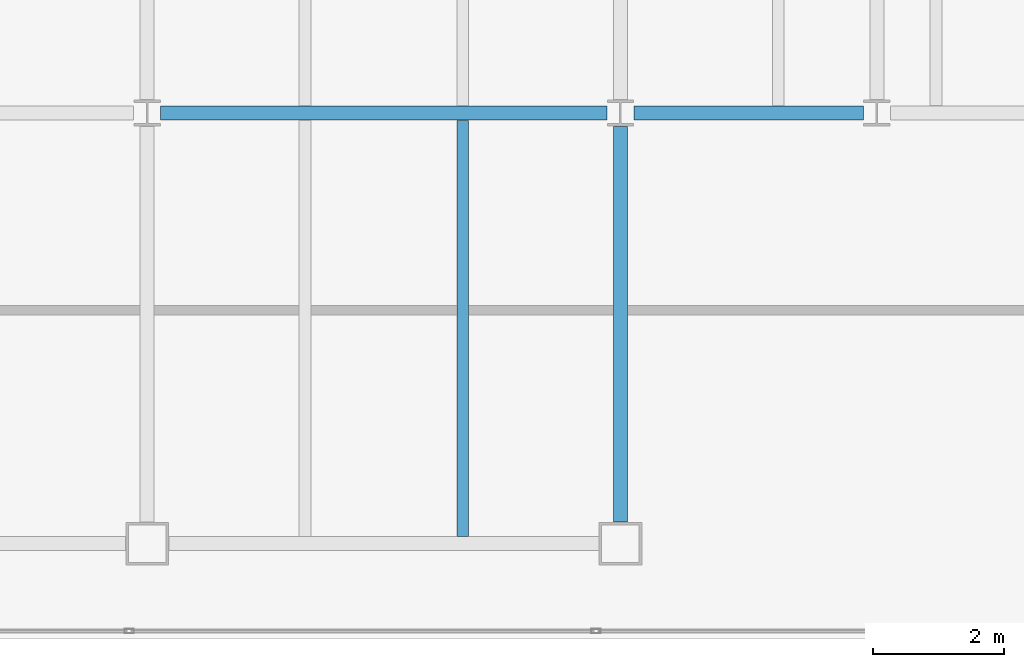
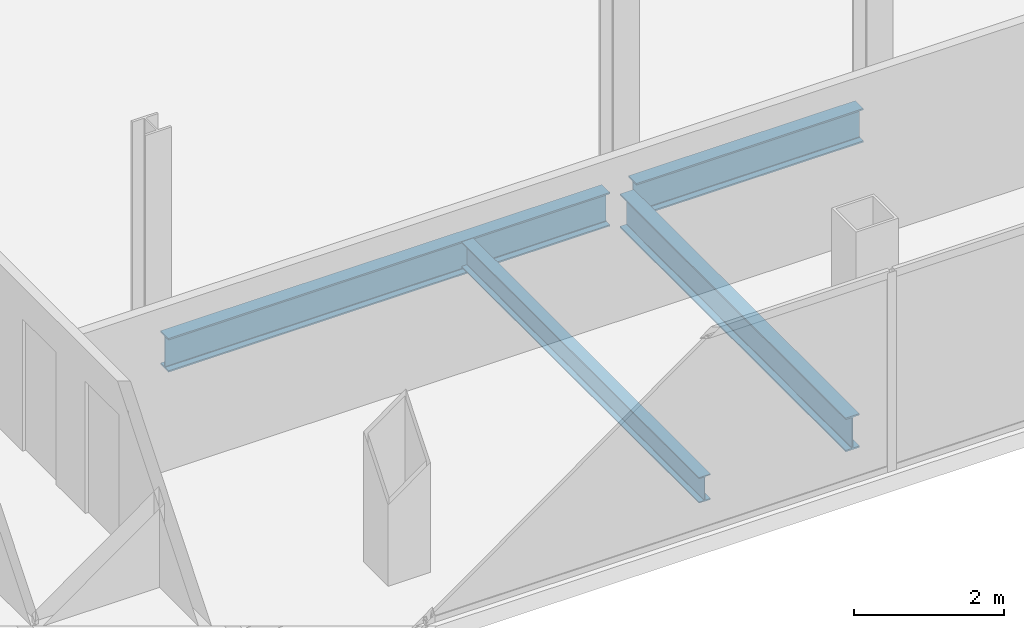
# One storey, part 13 of 24: 4 beams.
"""IFC4 building model written with IfcOpenShell, lengths in metres."""

import ifcopenshell
import ifcopenshell.guid

model = None  # the IFC model being written
_history = None  # IfcOwnerHistory: only IFC2X3 demands one
_inside = {}  # id of a spatial element -> (the spatial element, [elements in it])
_under = {}  # id of a project, library or spatial element -> (it, [spatial elements below it])
_declared = {}  # id of a project -> (the project, [libraries it declares])
_typed = {}  # id of a type object -> (the type object, [elements of that type])
_made_of = {}  # id of a material, layer set ... -> (it, [elements and type objects made of it])


def new_model(schema):
    """Start an empty IFC model of exactly this schema.

    Asked for "IFC4X3", IfcOpenShell would pick the latest addendum, in which some entities
    have other attributes; the version numbers below select the first issue.
    IFC2X3 requires an IfcOwnerHistory on every rooted entity: one is made here for all.
    """
    global model, _history
    if schema == "IFC4X3":
        model = ifcopenshell.file(schema_version=(4, 3, 0, 0))
    else:
        model = ifcopenshell.file(schema=schema)
    _inside.clear()
    _under.clear()
    _declared.clear()
    _typed.clear()
    _made_of.clear()
    _history = None
    if model.schema == "IFC2X3":
        org = make("IfcOrganization", Name="unknown")
        user = make(
            "IfcPersonAndOrganization",
            ThePerson=make("IfcPerson", FamilyName="unknown"),
            TheOrganization=org,
        )
        app = make(
            "IfcApplication",
            ApplicationDeveloper=org,
            Version="unknown",
            ApplicationFullName="unknown",
            ApplicationIdentifier="unknown",
        )
        _history = make(
            "IfcOwnerHistory",
            OwningUser=user,
            OwningApplication=app,
            ChangeAction="ADDED",
            CreationDate=0,
        )
    return model


def make(cls, **values):
    """One entity of the class cls with the attributes given. An attribute that is None is left unset."""
    return model.create_entity(
        cls, **{name: value for name, value in values.items() if value is not None}
    )


def rooted(cls, **values):
    """An entity with a GlobalId (a new one), such as an element, a storey or a relation."""
    return make(cls, GlobalId=ifcopenshell.guid.new(), OwnerHistory=_history, **values)


def si_unit(unit_type, name, prefix=None):
    """IfcSIUnit, for example si_unit("LENGTHUNIT", "METRE", prefix="MILLI")."""
    return make("IfcSIUnit", UnitType=unit_type, Prefix=prefix, Name=name)


def assignment(units):
    """IfcUnitAssignment: the units of a project."""
    return None if units is None else make("IfcUnitAssignment", Units=units)


def point(xyz):
    """IfcCartesianPoint."""
    return None if xyz is None else make("IfcCartesianPoint", Coordinates=xyz)


def direction(xyz):
    """IfcDirection."""
    return None if xyz is None else make("IfcDirection", DirectionRatios=xyz)


def frame(location, z_axis=None, x_axis=None):
    """IfcAxis2Placement3D, a coordinate frame: its origin and axes. An axis left out is left unset."""
    return make(
        "IfcAxis2Placement3D",
        Location=point(location),
        Axis=direction(z_axis),
        RefDirection=direction(x_axis),
    )


def frame_2d(location, x_axis=None):
    """IfcAxis2Placement2D, a coordinate frame in the plane: its origin and x axis."""
    return make(
        "IfcAxis2Placement2D", Location=point(location), RefDirection=direction(x_axis)
    )


def origin():
    """The frame at (0, 0, 0) with its axes left unset."""
    return frame((0.0, 0.0, 0.0))


def origin_2d():
    """The frame at (0, 0) in the plane with its x axis left unset."""
    return frame_2d((0.0, 0.0))


def place(relative_to, where):
    """IfcLocalPlacement: puts the frame where relative to a parent placement (None: the world)."""
    return make(
        "IfcLocalPlacement", PlacementRelTo=relative_to, RelativePlacement=where
    )


def context(
    kind, dimensions, precision=None, world=None, true_north=None, identifier=None
):
    """IfcGeometricRepresentationContext, for example the 3D "Model" context."""
    return make(
        "IfcGeometricRepresentationContext",
        ContextIdentifier=identifier,
        ContextType=kind,
        CoordinateSpaceDimension=dimensions,
        Precision=precision,
        WorldCoordinateSystem=world,
        TrueNorth=true_north,
    )


def subcontext(parent, identifier, kind, view, scale=None):
    """IfcGeometricRepresentationSubContext, for example "Body" below "Model"."""
    return make(
        "IfcGeometricRepresentationSubContext",
        ContextIdentifier=identifier,
        ContextType=kind,
        ParentContext=parent,
        TargetScale=scale,
        TargetView=view,
    )


def project(units=None, contexts=None):
    """IfcProject with its units and contexts."""
    return rooted(
        "IfcProject",
        Name="project",
        RepresentationContexts=contexts,
        UnitsInContext=assignment(units),
    )


def spatial(cls, under=None, at=None, **own):
    """A site, building, storey or space (cls), placed at a placement, below another one or the project."""
    s = rooted(cls, ObjectPlacement=at, **own)
    if under is not None:
        _under.setdefault(under.id(), (under, []))[1].append(s)
    return s


def profile(cls, at=None, kind="AREA", **sizes):
    """A parametric profile (cls). Its sizes go by their IFC names, for example OverallWidth=200.0."""
    return make(cls, ProfileType=kind, Position=at, **sizes)


def i_section(**sizes):
    """IfcIShapeProfileDef."""
    return profile("IfcIShapeProfileDef", **sizes)


def extrude(swept, where, along, depth):
    """IfcExtrudedAreaSolid: the profile swept, set in the frame where, extruded along a direction by depth."""
    return make(
        "IfcExtrudedAreaSolid",
        SweptArea=swept,
        Position=where,
        ExtrudedDirection=direction(along),
        Depth=depth,
    )


def shape(context_of_items, identifier, shape_type, items):
    """IfcShapeRepresentation: the items that make up one representation, for example the "Body"."""
    return make(
        "IfcShapeRepresentation",
        ContextOfItems=context_of_items,
        RepresentationIdentifier=identifier,
        RepresentationType=shape_type,
        Items=items,
    )


def material(Name=None, Category=None):
    """IfcMaterial."""
    return make("IfcMaterial", Name=Name, Category=Category)


def material_profile(
    of_material, cross_section, Name=None, Category=None, Priority=None
):
    """IfcMaterialProfile: a cross section and its material."""
    return make(
        "IfcMaterialProfile",
        Name=Name,
        Material=of_material,
        Profile=cross_section,
        Priority=Priority,
        Category=Category,
    )


def profile_set(profiles, Name=None, composite=None):
    """IfcMaterialProfileSet."""
    return make(
        "IfcMaterialProfileSet",
        Name=Name,
        MaterialProfiles=profiles,
        CompositeProfile=composite,
    )


def made_of(thing, what):
    """Note that an element or type object is made of a material, layer set ...; save() writes the relation."""
    if what is not None:
        _made_of.setdefault(what.id(), (what, []))[1].append(thing)
    return thing


def type_object(cls, material=None, **own):
    """A type object (cls), such as IfcWallType, which elements share."""
    return made_of(rooted(cls, **own), material)


def element(
    cls,
    number,
    at=None,
    inside=None,
    cuts=None,
    type_object=None,
    material=None,
    context=None,
    identifier="Body",
    shape_type=None,
    held_by="IfcProductDefinitionShape",
    body=None,
    shapes=None,
    **own,
):
    """One element of the class cls, such as IfcWall. Its Tag is "e" and its number.

    at: its placement. inside: the storey or other place that contains it. cuts: it is an
    opening in that element (IfcRelVoidsElement). A single representation is given by context,
    identifier, shape_type and body (its items); several are given by shapes. held_by: the class
    of the entity that holds the representations. save() writes the other relations.
    """
    e = rooted(cls, Tag="e%d" % number, ObjectPlacement=at, **own)
    if body is not None:
        shapes = [shape(context, identifier, shape_type, body)]
    if shapes is not None:
        e.Representation = make(held_by, Representations=shapes)
    if inside is not None:
        _inside.setdefault(inside.id(), (inside, []))[1].append(e)
    if cuts is not None:
        rooted(
            "IfcRelVoidsElement", RelatingBuildingElement=cuts, RelatedOpeningElement=e
        )
    if type_object is not None:
        _typed.setdefault(type_object.id(), (type_object, []))[1].append(e)
    return made_of(e, material)


def aggregate(whole, parts):
    """IfcRelAggregates: a whole, such as a stair, and the parts it consists of."""
    return rooted("IfcRelAggregates", RelatingObject=whole, RelatedObjects=parts)


def save(model, path):
    """Write the relations noted so far, then the file.

    IfcRelAggregates (storeys below a building ...), IfcRelContainedInSpatialStructure (elements
    in a storey), IfcRelDefinesByType, IfcRelAssociatesMaterial and IfcRelDeclares: one each for
    every whole, place, type object, material and project.
    """
    for whole, parts in _under.values():
        aggregate(whole, parts)
    for where, things in _inside.values():
        rooted(
            "IfcRelContainedInSpatialStructure",
            RelatedElements=things,
            RelatingStructure=where,
        )
    for kind, things in _typed.values():
        rooted("IfcRelDefinesByType", RelatedObjects=things, RelatingType=kind)
    for what, things in _made_of.values():
        rooted("IfcRelAssociatesMaterial", RelatedObjects=things, RelatingMaterial=what)
    for by, libraries in _declared.values():
        rooted("IfcRelDeclares", RelatingContext=by, RelatedDefinitions=libraries)
    model.write(path)


model = new_model("IFC4")

# Units and contexts
model_context = context("Model", 3, precision=1e-05, world=origin(), true_north=direction((0.0, 1.0)))
body_context = subcontext(model_context, "Body", "Model", "MODEL_VIEW")
ifc_project = project(units=[si_unit("LENGTHUNIT", "METRE"), si_unit("AREAUNIT", "SQUARE_METRE"), si_unit("VOLUMEUNIT", "CUBIC_METRE"), si_unit("PLANEANGLEUNIT", "RADIAN"), si_unit("MASSUNIT", "GRAM", prefix="KILO")], contexts=[model_context])

# Site, building, storey
site_placement = place(None, origin())
site = spatial("IfcSite", under=ifc_project, at=site_placement, CompositionType="ELEMENT")
building_placement = place(site_placement, origin())
building = spatial("IfcBuilding", under=site, at=building_placement, Name="Cobrela Telecom Tower", CompositionType="ELEMENT")
storey_placement = place(building_placement, frame((0.0, 0.0, 248.14990234375)))
storey = spatial("IfcBuildingStorey", under=building, at=storey_placement, Name="L64", CompositionType="ELEMENT", Elevation=248.14990234375)

# Beams
ifc_material = material(Name="Steel ASTM A992 Grade 50", Category="steel")
ifc_material_profile_1 = material_profile(ifc_material, i_section(OverallWidth=0.212890625, OverallDepth=0.549072265625, WebThickness=0.0146484375, FlangeThickness=0.023681640625, FilletRadius=0.013916015625, at=origin_2d()), Name="W21X93")
ifc_profile_set_1 = profile_set([ifc_material_profile_1], Name="Steel ASTM A992 Grade 50")
beam_type_1 = type_object("IfcBeamType", Name="BM-GIRD-08", PredefinedType="USERDEFINED", material=ifc_profile_set_1)
beam_1_placement = place(storey_placement, frame((29.00439453125, 14.39990234375, -0.534423828125), z_axis=(1.0, 0.0, 0.0), x_axis=(0.0, 1.0, 0.0)))
element("IfcBeam", 1, at=beam_1_placement, inside=storey, type_object=beam_type_1, Name="L64 Primary Girder X07", ObjectType="GIRDER", PredefinedType="USERDEFINED", context=body_context, shape_type="SweptSolid", body=[
    extrude(i_section(OverallWidth=0.212890625, OverallDepth=0.549072265625, WebThickness=0.0146484375, FlangeThickness=0.023681640625, FilletRadius=0.013916015625, at=origin_2d()), origin(), (0.0, 0.0, 1.0), 6.791015625),
])
beam_2_placement = place(storey_placement, frame((36.20458984375, 14.39990234375, -0.534423828125), z_axis=(1.0, 0.0, 0.0), x_axis=(0.0, 1.0, 0.0)))
element("IfcBeam", 2, at=beam_2_placement, inside=storey, type_object=beam_type_1, Name="L64 Primary Girder X08", ObjectType="GIRDER", PredefinedType="USERDEFINED", context=body_context, shape_type="SweptSolid", body=[
    extrude(i_section(OverallWidth=0.212890625, OverallDepth=0.549072265625, WebThickness=0.0146484375, FlangeThickness=0.023681640625, FilletRadius=0.013916015625, at=origin_2d()), origin(), (0.0, 0.0, 1.0), 3.490966796875),
])
beam_3_placement = place(storey_placement, frame((36.0, 8.179931640625, -0.534423828125), z_axis=(0.0, 1.0, 0.0), x_axis=(-1.0, 0.0, 0.0)))
element("IfcBeam", 3, at=beam_3_placement, inside=storey, type_object=beam_type_1, Name="L64 Primary Girder Y31", ObjectType="GIRDER", PredefinedType="USERDEFINED", context=body_context, shape_type="SweptSolid", body=[
    extrude(i_section(OverallWidth=0.212890625, OverallDepth=0.549072265625, WebThickness=0.0146484375, FlangeThickness=0.023681640625, FilletRadius=0.013916015625, at=origin_2d()), origin(), (0.0, 0.0, 1.0), 6.015625),
])
ifc_material_profile_2 = material_profile(ifc_material, i_section(OverallWidth=0.179931640625, OverallDepth=0.4169921875, WebThickness=0.010986328125, FlangeThickness=0.01806640625, FilletRadius=0.011962890625, at=origin_2d()), Name="W16X57")
ifc_profile_set_2 = profile_set([ifc_material_profile_2], Name="Steel ASTM A992 Grade 50")
beam_type_2 = type_object("IfcBeamType", Name="BM-JOIST-04", PredefinedType="JOIST", material=ifc_profile_set_2)
beam_4_placement = place(storey_placement, frame((33.60009765625, 7.96142578125, -0.468505859375), z_axis=(0.0, 1.0, 0.0), x_axis=(-1.0, 0.0, 0.0)))
element("IfcBeam", 4, at=beam_4_placement, inside=storey, type_object=beam_type_2, Name="L64 Secondary Composite Floor Beam J13", PredefinedType="JOIST", context=body_context, shape_type="SweptSolid", body=[
    extrude(i_section(OverallWidth=0.179931640625, OverallDepth=0.4169921875, WebThickness=0.010986328125, FlangeThickness=0.01806640625, FilletRadius=0.011962890625, at=origin_2d()), origin(), (0.0, 0.0, 1.0), 6.3271484375),
])

save(model, "model.ifc")
